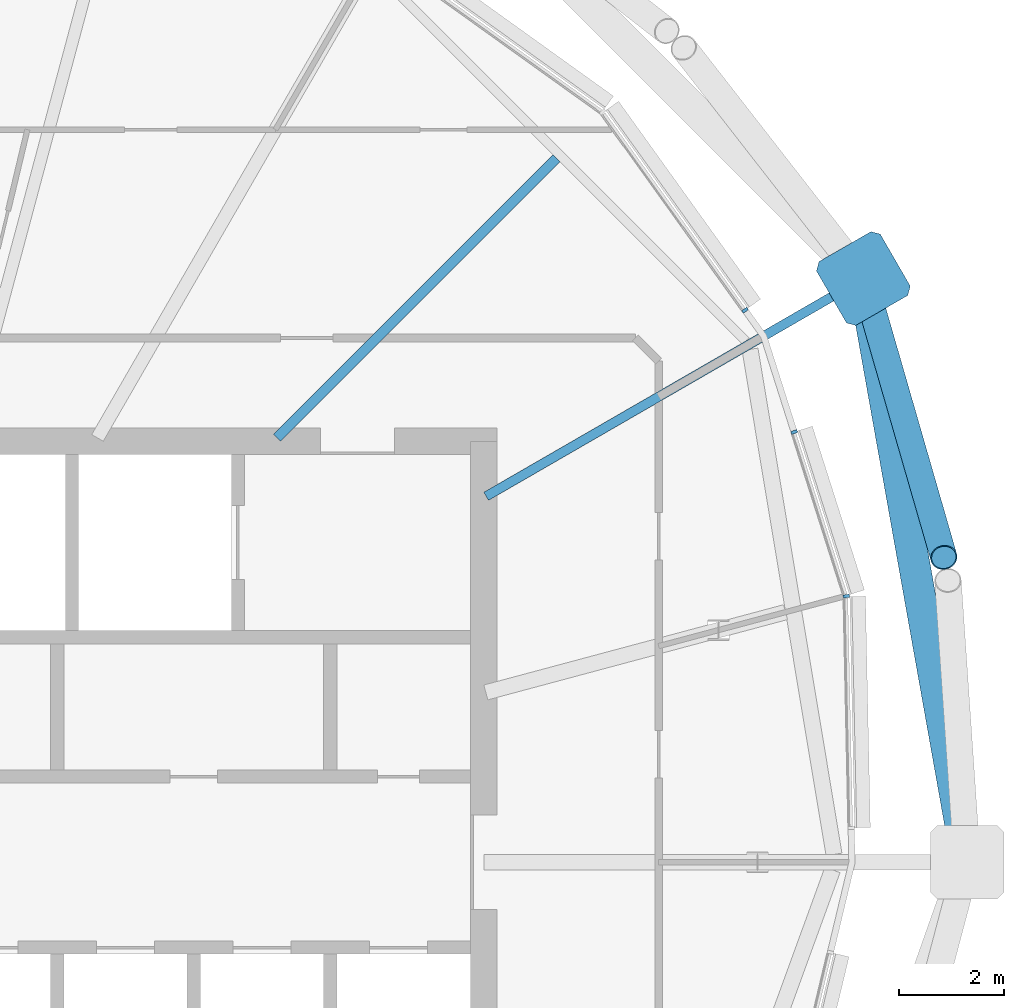
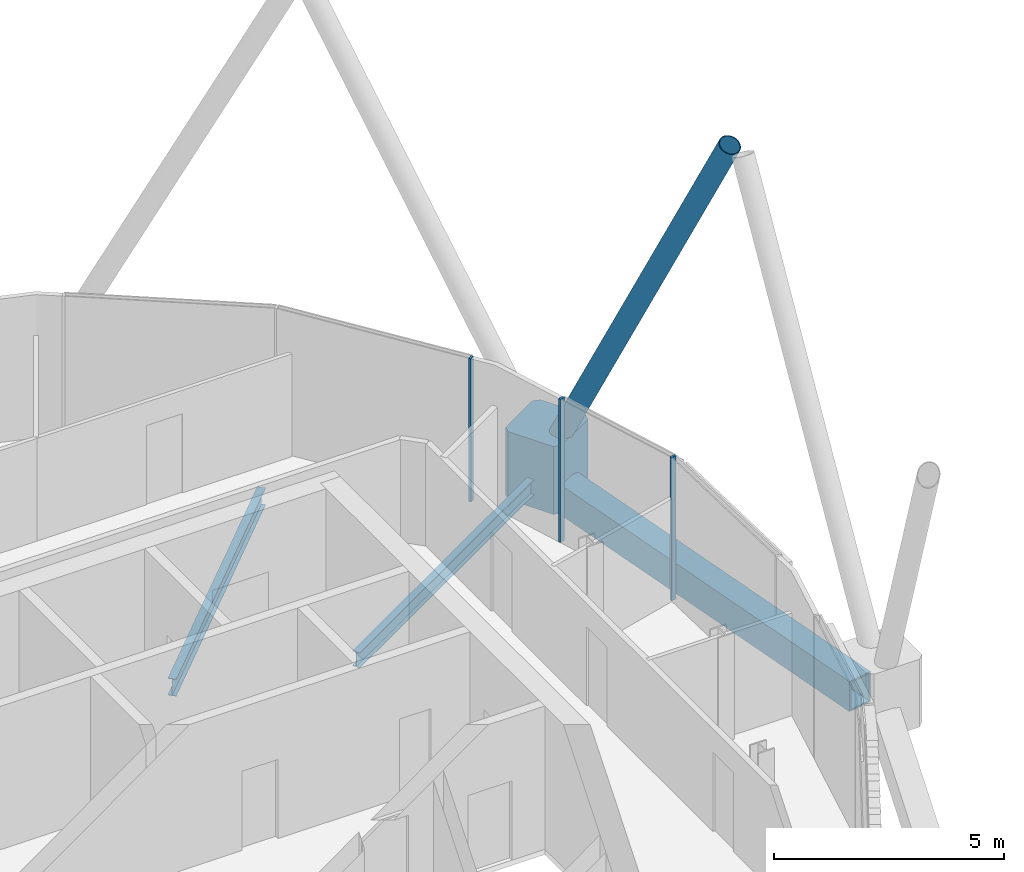
# One storey, part 14 of 31: 5 members, 3 beams, 1 element without a shape of its own.
"""IFC4 building model written with IfcOpenShell, lengths in metres."""

from ifc_helpers import new_model, si_unit, direction, frame, origin, origin_2d, place, context, subcontext, project, spatial, polyline, rectangle, hollow_rectangle, hollow_circle, i_section, outline, extrude, material, material_profile, profile_set, type_object, element, aggregate, save


model = new_model("IFC4")

# Units and contexts
model_context = context("Model", 3, precision=1e-05, world=origin(), true_north=direction((0.0, 1.0)))
body_context = subcontext(model_context, "Body", "Model", "MODEL_VIEW")
ifc_project = project(units=[si_unit("LENGTHUNIT", "METRE"), si_unit("AREAUNIT", "SQUARE_METRE"), si_unit("VOLUMEUNIT", "CUBIC_METRE"), si_unit("PLANEANGLEUNIT", "RADIAN"), si_unit("MASSUNIT", "GRAM", prefix="KILO")], contexts=[model_context])

# Site, building, storey
site_placement = place(None, origin())
site = spatial("IfcSite", under=ifc_project, at=site_placement, CompositionType="ELEMENT")
building_placement = place(site_placement, origin())
building = spatial("IfcBuilding", under=site, at=building_placement, Name="Rimbun Link Towers", CompositionType="ELEMENT")
storey_placement = place(building_placement, frame((0.0, 0.0, 244.699951171875)))
storey = spatial("IfcBuildingStorey", under=building, at=storey_placement, Name="L60", CompositionType="ELEMENT", Elevation=244.699951171875)

# Curtain wall, members
ifc_material_1 = material(Name="Aluminium 6063-T6 and low-iron glass", Category="aluminium")
curtain_wall_type = type_object("IfcCurtainWallType", Name="CW1-Z4 unitised vision wall (zone 4)", PredefinedType="NOTDEFINED", material=ifc_material_1)
curtain_wall_placement = place(storey_placement, origin())
curtain_wall = element("IfcCurtainWall", 1, at=curtain_wall_placement, inside=storey, type_object=curtain_wall_type, Name="CW1 L60 T2", PredefinedType="NOTDEFINED")
ifc_material_2 = material(Name="Aluminium 6063-T6", Category="aluminium")
ifc_material_profile_1 = material_profile(ifc_material_2, rectangle(XDim=0.1201171875, YDim=0.06005859375, at=origin_2d()), Name="MULLION 60X120")
ifc_profile_set_1 = profile_set([ifc_material_profile_1], Name="Aluminium 6063-T6")
member_type_1 = type_object("IfcMemberType", Name="CW1 mullion 60X120", PredefinedType="MULLION", material=ifc_profile_set_1)
member_1_placement = place(storey_placement, frame((50.64208984375, 5.05615234375, 0.0), z_axis=(0.0, 0.0, 1.0), x_axis=(0.986503194566, 0.163742013886, 0.0)))
member_1 = element("IfcMember", 2, at=member_1_placement, type_object=member_type_1, Name="CW1 mullion", PredefinedType="MULLION", context=body_context, shape_type="SweptSolid", body=[
    extrude(rectangle(XDim=0.1201171875, YDim=0.06005859375, at=origin_2d()), origin(), (0.0, 0.0, 1.0), 3.800048828125),
])
member_2_placement = place(storey_placement, frame((49.650390625, 8.1767578125, 0.0), z_axis=(0.0, 0.0, 1.0), x_axis=(0.952971021704, 0.303061432375, 0.0)))
member_2 = element("IfcMember", 3, at=member_2_placement, type_object=member_type_1, Name="CW1 mullion", PredefinedType="MULLION", context=body_context, shape_type="SweptSolid", body=[
    extrude(rectangle(XDim=0.1201171875, YDim=0.06005859375, at=origin_2d()), origin(), (0.0, 0.0, 1.0), 3.800048828125),
])
member_3_placement = place(storey_placement, frame((48.71630859375, 10.49169921875, 0.0), z_axis=(0.0, 0.0, 1.0), x_axis=(0.812465398272, 0.583009413827, 0.0)))
member_3 = element("IfcMember", 4, at=member_3_placement, type_object=member_type_1, Name="CW1 mullion", PredefinedType="MULLION", context=body_context, shape_type="SweptSolid", body=[
    extrude(rectangle(XDim=0.1201171875, YDim=0.06005859375, at=origin_2d()), origin(), (0.0, 0.0, 1.0), 3.800048828125),
])
aggregate(curtain_wall, [member_1, member_2, member_3])

# Members
ifc_material_3 = material(Name="Steel S355J2H", Category="steel")
ifc_material_profile_2 = material_profile(ifc_material_3, hollow_circle(Radius=0.25390625, WallThickness=0.02001953125, at=origin_2d()), Name="Diagrid diagonal CHS 508x20")
ifc_profile_set_2 = profile_set([ifc_material_profile_2], Name="Steel S355J2H")
member_type_2 = type_object("IfcMemberType", Name="Diagrid diagonal CHS 508x20", PredefinedType="BRACE", material=ifc_profile_set_2)
member_4_placement = place(storey_placement, frame((51.0283203125, 10.878173828125, 0.446533203125), z_axis=(0.124712444466, -0.432322640268, 0.893053156821), x_axis=(0.960821229353, 0.277168838841, 0.0)))
element("IfcMember", 5, at=member_4_placement, inside=storey, type_object=member_type_2, Name="Diagrid diagonal T2 L60-L63 23a", PredefinedType="BRACE", context=body_context, shape_type="SweptSolid", body=[
    extrude(hollow_circle(Radius=0.25390625, WallThickness=0.02001953125, at=origin_2d()), origin(), (0.0, 0.0, 1.0), 11.765380859375),
])
ifc_material_4 = material(Name="Cast steel G20Mn5+QT, Rp0.2 300 MPa", Category="steel")
ifc_material_profile_3 = material_profile(ifc_material_4, outline(polyline([(0.699951171875, -0.570068359375), (0.699951171875, 0.570068359375), (0.570068359375, 0.699951171875), (-0.570068359375, 0.699951171875), (-0.699951171875, 0.570068359375), (-0.699951171875, -0.570068359375), (-0.570068359375, -0.699951171875), (0.570068359375, -0.699951171875), (0.699951171875, -0.570068359375)])), Name="NODE 1400x1400")
ifc_profile_set_3 = profile_set([ifc_material_profile_3], Name="Cast steel G20Mn5+QT, Rp0.2 300 MPa")
member_type_3 = type_object("IfcMemberType", Name="Diagrid node cast 1400", PredefinedType="USERDEFINED", material=ifc_profile_set_3)
member_5_placement = place(storey_placement, frame((50.9658203125, 11.09423828125, -0.89990234375), z_axis=(0.0, 0.0, 1.0), x_axis=(0.866025403784, 0.5, 0.0)))
element("IfcMember", 6, at=member_5_placement, inside=storey, type_object=member_type_3, Name="Diagrid node L60 23", ObjectType="Diagrid node", PredefinedType="USERDEFINED", context=body_context, shape_type="SweptSolid", body=[
    extrude(outline(polyline([(0.699951171875, -0.570068359375), (0.699951171875, 0.570068359375), (0.570068359375, 0.699951171875), (-0.570068359375, 0.699951171875), (-0.699951171875, 0.570068359375), (-0.699951171875, -0.570068359375), (-0.570068359375, -0.699951171875), (0.570068359375, -0.699951171875), (0.699951171875, -0.570068359375)])), origin(), (0.0, 0.0, 1.0), 1.800048828125),
])

# Beams
ifc_material_5 = material(Name="Steel S355J2", Category="steel")
ifc_material_profile_4 = material_profile(ifc_material_5, hollow_rectangle(XDim=0.60009765625, YDim=0.800048828125, WallThickness=0.0400390625, at=origin_2d()), Name="Exoskeleton ring girder BOX 600x800x40")
ifc_profile_set_4 = profile_set([ifc_material_profile_4], Name="Steel S355J2")
beam_type_1 = type_object("IfcBeamType", Name="Exoskeleton ring girder BOX 600x800x40", PredefinedType="BEAM", material=ifc_profile_set_4)
beam_1_placement = place(storey_placement, frame((52.816650390625, 0.689208984375, -0.56005859375), z_axis=(-0.175132991722, 0.984544785782, 0.0), x_axis=(-0.984544785782, -0.175132991722, 0.0)))
element("IfcBeam", 7, at=beam_1_placement, inside=storey, type_object=beam_type_1, Name="Exoskeleton ring girder L60 07", PredefinedType="BEAM", context=body_context, shape_type="SweptSolid", body=[
    extrude(hollow_rectangle(XDim=0.60009765625, YDim=0.800048828125, WallThickness=0.0400390625, at=origin_2d()), origin(), (0.0, 0.0, 1.0), 9.868408203125),
])
ifc_material_6 = material(Name="Steel S355J2", Category="steel")
ifc_material_profile_5 = material_profile(ifc_material_6, i_section(OverallWidth=0.177978515625, OverallDepth=0.406494140625, WebThickness=0.0078125, FlangeThickness=0.0126953125, at=origin_2d()), Name="UB 406x178x60")
ifc_profile_set_5 = profile_set([ifc_material_profile_5], Name="Steel S355J2")
beam_type_2 = type_object("IfcBeamType", Name="UB 406x178x60", PredefinedType="BEAM", material=ifc_profile_set_5)
beam_2_placement = place(storey_placement, frame((43.79541015625, 6.954345703125, -0.34326171875), z_axis=(0.866019397846, 0.500010402446, 0.0), x_axis=(-0.500010402446, 0.866019397846, 0.0)))
element("IfcBeam", 8, at=beam_2_placement, inside=storey, type_object=beam_type_2, Name="Radial beam T2 L60 23", PredefinedType="BEAM", context=body_context, shape_type="SweptSolid", body=[
    extrude(i_section(OverallWidth=0.177978515625, OverallDepth=0.406494140625, WebThickness=0.0078125, FlangeThickness=0.0126953125, at=origin_2d()), origin(), (0.0, 0.0, 1.0), 7.779541015625),
])
ifc_material_7 = material(Name="Steel S355J2", Category="steel")
ifc_material_profile_6 = material_profile(ifc_material_7, i_section(OverallWidth=0.18994140625, OverallDepth=0.453369140625, WebThickness=0.008544921875, FlangeThickness=0.0126953125, at=origin_2d()), Name="UB 457x191x67")
ifc_profile_set_6 = profile_set([ifc_material_profile_6], Name="Steel S355J2")
beam_type_3 = type_object("IfcBeamType", Name="UB 457x191x67", PredefinedType="BEAM", material=ifc_profile_set_6)
beam_3_placement = place(storey_placement, frame((39.81787109375, 8.06787109375, -0.36669921875), z_axis=(0.707106781187, 0.707106781187, 0.0), x_axis=(-0.707106781187, 0.707106781187, 0.0)))
element("IfcBeam", 9, at=beam_3_placement, inside=storey, type_object=beam_type_3, Name="Radial beam T2 L60 00", PredefinedType="BEAM", context=body_context, shape_type="SweptSolid", body=[
    extrude(i_section(OverallWidth=0.18994140625, OverallDepth=0.453369140625, WebThickness=0.008544921875, FlangeThickness=0.0126953125, at=origin_2d()), origin(), (0.0, 0.0, 1.0), 7.51220703125),
])

save(model, "model.ifc")
